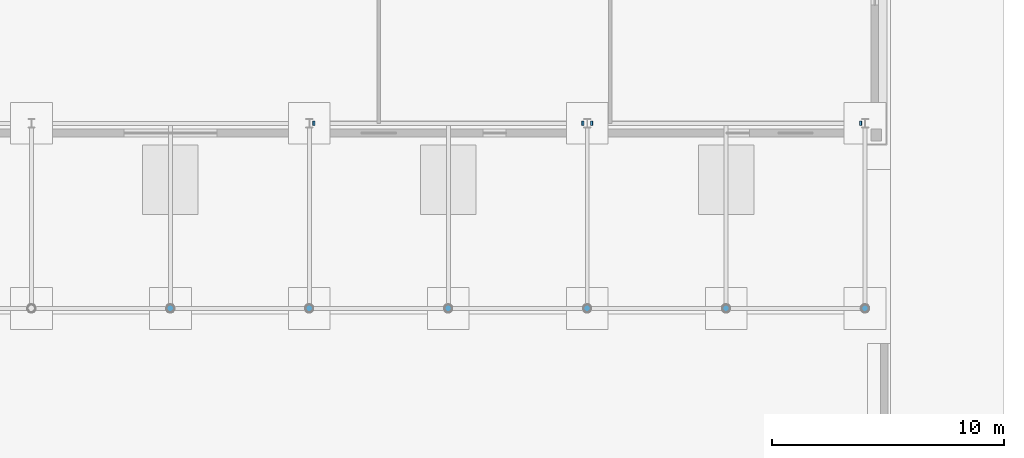
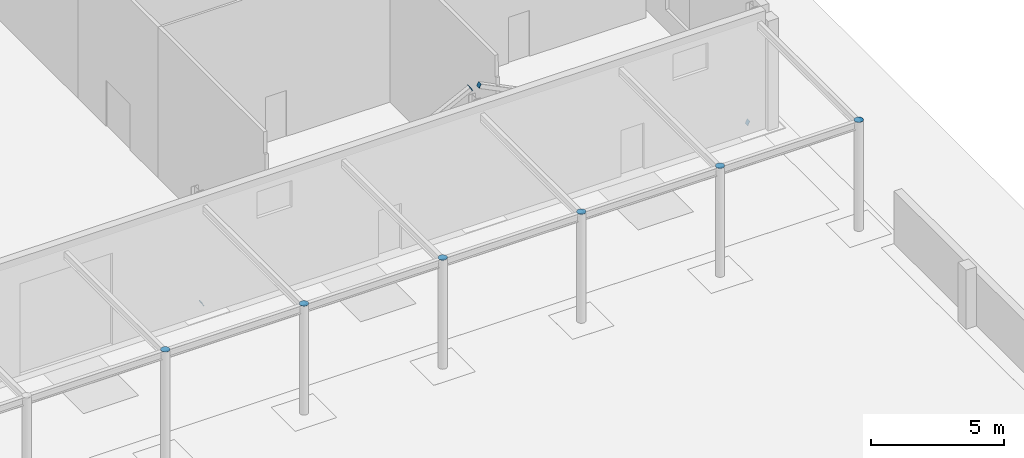
# One storey, part 120 of 132: 10 discrete accessories.
"""IFC4 building model written with IfcOpenShell, lengths in metres."""

from ifc_helpers import new_model, si_unit, direction, frame, origin, origin_2d, place, context, subcontext, project, spatial, rectangle, circle, extrude, material, material_profile, profile_set, type_object, element, save


model = new_model("IFC4")

# Units and contexts
model_context = context("Model", 3, precision=1e-05, world=origin(), true_north=direction((0.0, 1.0)))
body_context = subcontext(model_context, "Body", "Model", "MODEL_VIEW")
ifc_project = project(units=[si_unit("LENGTHUNIT", "METRE"), si_unit("AREAUNIT", "SQUARE_METRE"), si_unit("VOLUMEUNIT", "CUBIC_METRE"), si_unit("PLANEANGLEUNIT", "RADIAN"), si_unit("MASSUNIT", "GRAM", prefix="KILO")], contexts=[model_context])

# Site, building, storey
site_placement = place(None, origin())
site = spatial("IfcSite", under=ifc_project, at=site_placement, CompositionType="ELEMENT")
building_placement = place(site_placement, origin())
building = spatial("IfcBuilding", under=site, at=building_placement, Name="Ravi Spectrum Wholesale Market", CompositionType="ELEMENT")
storey_placement = place(building_placement, origin())
storey = spatial("IfcBuildingStorey", under=building, at=storey_placement, Name="L00", CompositionType="ELEMENT", Elevation=0.0)

# Discrete accessories
ifc_material_1 = material(Name="Steel S355", Category="steel")
ifc_material_profile_1 = material_profile(ifc_material_1, circle(Radius=0.177734375, at=origin_2d()))
ifc_profile_set_1 = profile_set([ifc_material_profile_1], Name="Steel S355")
discrete_accessory_type_1 = type_object("IfcDiscreteAccessoryType", Name="End plate CHS 355.6x12.5", PredefinedType="BRACKET", material=ifc_profile_set_1)
for number, where, z_axis, x_axis, name in (
    (1, (264.0, 154.0, 4.97998046875), (0.0, 0.0, 1.0), (1.0, 0.0, 0.0), "End plate"),
    (2, (270.0, 154.0, 4.97998046875), (0.0, 0.0, 1.0), (1.0, 0.0, 0.0), "End plate"),
    (3, (276.0, 154.0, 4.97998046875), (0.0, 0.0, 1.0), (1.0, 0.0, 0.0), "End plate"),
    (4, (282.0, 154.0, 4.97998046875), (0.0, 0.0, 1.0), (1.0, 0.0, 0.0), "End plate"),
    (5, (288.0, 154.0, 4.97998046875), (0.0, 0.0, 1.0), (1.0, 0.0, 0.0), "End plate"),
    (6, (294.0, 154.0, 4.97998046875), (0.0, 0.0, 1.0), (1.0, 0.0, 0.0), "End plate"),
):
    element("IfcDiscreteAccessory", number, at=place(storey_placement, frame(where, z_axis=z_axis, x_axis=x_axis)), inside=storey, type_object=discrete_accessory_type_1, Name=name, PredefinedType="BRACKET", context=body_context, shape_type="SweptSolid", body=[
        extrude(circle(Radius=0.177734375, at=origin_2d()), origin(), (0.0, 0.0, 1.0), 0.011962890625),
    ])
ifc_material_2 = material(Name="Steel S355", Category="steel")
ifc_material_profile_2 = material_profile(ifc_material_2, rectangle(XDim=0.199951171875, YDim=0.199951171875, at=origin_2d()))
ifc_profile_set_2 = profile_set([ifc_material_profile_2], Name="Steel S355")
discrete_accessory_type_2 = type_object("IfcDiscreteAccessoryType", Name="End plate SHS 200x200x8", PredefinedType="BRACKET", material=ifc_profile_set_2)
for number, where, z_axis, x_axis, name in (
    (7, (270.194580078125, 162.0, 0.089599609375), (-0.894427191, 0.0, -0.4472135955), (0.0, -1.0, 0.0), "End plate"),
    (8, (281.805419921875, 162.0, 5.857421875), (0.894427191, 0.0, 0.4472135955), (0.0, 1.0, 0.0), "End plate"),
    (9, (282.194580078125, 162.0, 5.857421875), (-0.894427191, 0.0, 0.4472135955), (0.0, -1.0, 0.0), "End plate"),
    (10, (293.805419921875, 162.0, 0.089599609375), (0.894427191, 0.0, -0.4472135955), (0.0, 1.0, 0.0), "End plate"),
):
    element("IfcDiscreteAccessory", number, at=place(storey_placement, frame(where, z_axis=z_axis, x_axis=x_axis)), inside=storey, type_object=discrete_accessory_type_2, Name=name, PredefinedType="BRACKET", context=body_context, shape_type="SweptSolid", body=[
        extrude(rectangle(XDim=0.199951171875, YDim=0.199951171875, at=origin_2d()), origin(), (0.0, 0.0, 1.0), 0.011962890625),
    ])

save(model, "model.ifc")
